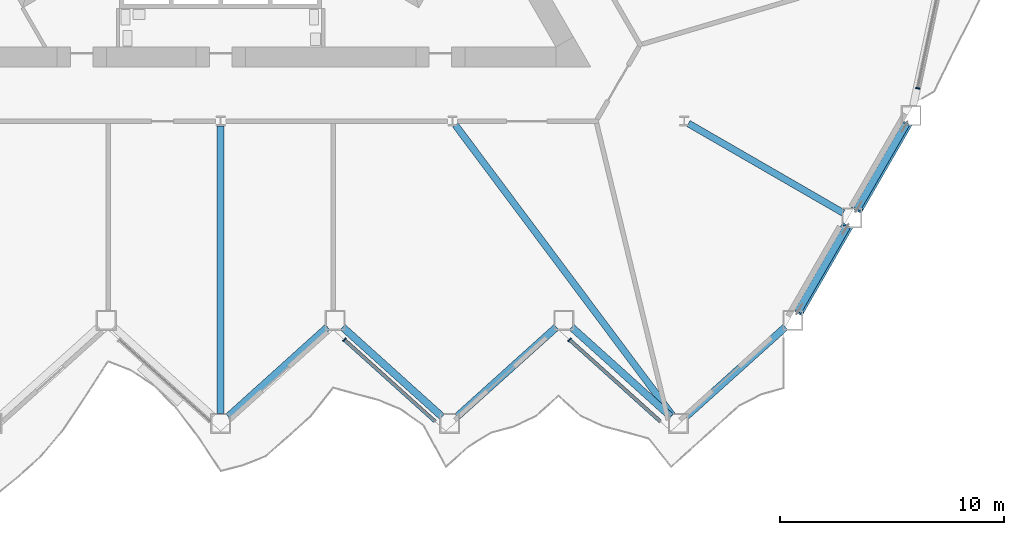
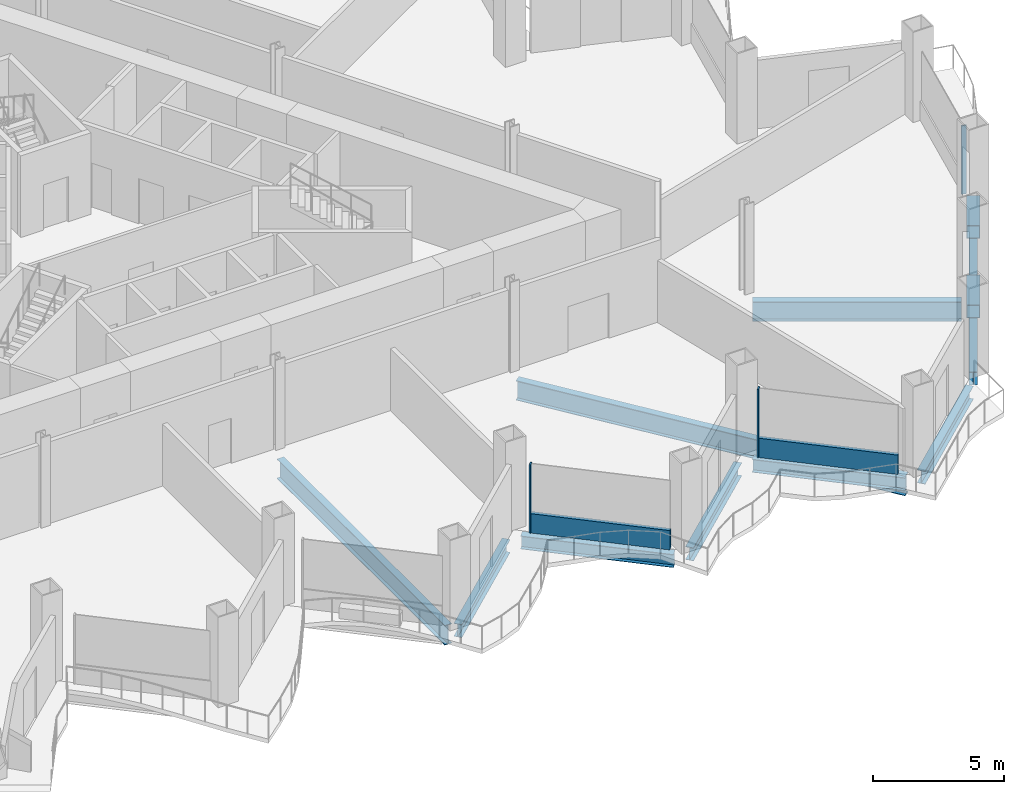
# One storey, part 5 of 21: 10 beams, 7 members, 3 elements without a shape of their own.
"""IFC4 building model written with IfcOpenShell, lengths in metres."""

from ifc_helpers import new_model, si_unit, direction, frame, origin, origin_2d, place, context, subcontext, project, spatial, rectangle, hollow_rectangle, i_section, extrude, material, layer, layer_set, material_profile, profile_set, type_object, element, aggregate, save


model = new_model("IFC4")

# Units and contexts
model_context = context("Model", 3, precision=1e-05, world=origin(), true_north=direction((0.0, 1.0)))
body_context = subcontext(model_context, "Body", "Model", "MODEL_VIEW")
ifc_project = project(units=[si_unit("LENGTHUNIT", "METRE"), si_unit("AREAUNIT", "SQUARE_METRE"), si_unit("VOLUMEUNIT", "CUBIC_METRE"), si_unit("PLANEANGLEUNIT", "RADIAN"), si_unit("MASSUNIT", "GRAM", prefix="KILO")], contexts=[model_context])

# Site, building, storey
site_placement = place(None, origin())
site = spatial("IfcSite", under=ifc_project, at=site_placement, CompositionType="ELEMENT")
building_placement = place(site_placement, origin())
building = spatial("IfcBuilding", under=site, at=building_placement, Name="Cormorant Prow Tower", CompositionType="ELEMENT")
storey_placement = place(building_placement, frame((0.0, 0.0, 116.39990234375)))
storey = spatial("IfcBuildingStorey", under=building, at=storey_placement, Name="L24", CompositionType="ELEMENT", Elevation=116.39990234375)

# Members
ifc_material_1 = material(Name="Structural steel ASTM A500 Gr C", Category="steel")
ifc_material_profile_1 = material_profile(ifc_material_1, hollow_rectangle(XDim=0.508056640625, YDim=0.508056640625, WallThickness=0.014892578125, at=origin_2d()), Name="HSS20x20x5/8")
ifc_profile_set_1 = profile_set([ifc_material_profile_1], Name="Structural steel ASTM A500 Gr C")
member_type_1 = type_object("IfcMemberType", Name="Chamfer brace HSS20x20x5/8", PredefinedType="BRACE", material=ifc_profile_set_1)
for number, where, z_axis, x_axis, name in (
    (1, (27.900634765625, -16.648681640625, 0.776611328125), (-0.467784671838, -0.810243526908, 0.35310469821), (0.866029868417, -0.499992266949, 0.0), "Chamfer brace BR1 at ESE00 L24"),
    (2, (30.535400390625, -12.0849609375, 0.776611328125), (-0.467784671838, -0.810243526908, 0.35310469821), (0.866029868417, -0.499992266949, 0.0), "Chamfer brace BR1 at ESE01 L24"),
):
    element("IfcMember", number, at=place(storey_placement, frame(where, z_axis=z_axis, x_axis=x_axis)), inside=storey, type_object=member_type_1, Name=name, PredefinedType="BRACE", context=body_context, shape_type="SweptSolid", body=[
        extrude(hollow_rectangle(XDim=0.508056640625, YDim=0.508056640625, WallThickness=0.014892578125, at=origin_2d()), origin(), (0.0, 0.0, 1.0), 4.632568359375),
    ])

# Curtain wall, member
ifc_material_2 = material(Name="Aluminium 6063-T6", Category="aluminium")
ifc_layer = layer(ifc_material_2, 0.199951171875)
ifc_layer_set = layer_set([ifc_layer], Name="Aluminium 6063-T6")
curtain_wall_type = type_object("IfcCurtainWallType", Name="Office unitised curtain wall 200", PredefinedType="NOTDEFINED", material=ifc_layer_set)
curtain_wall_1_placement = place(storey_placement, origin())
curtain_wall_1 = element("IfcCurtainWall", 3, at=curtain_wall_1_placement, inside=storey, type_object=curtain_wall_type, Name="Office curtain wall S06", PredefinedType="NOTDEFINED")
ifc_material_3 = material(Name="Aluminium 6063-T6", Category="aluminium")
ifc_material_profile_2 = material_profile(ifc_material_3, rectangle(XDim=0.199951171875, YDim=0.06005859375, at=origin_2d()), Name="Office mullion 60x200")
ifc_profile_set_2 = profile_set([ifc_material_profile_2], Name="Aluminium 6063-T6")
member_type_2 = type_object("IfcMemberType", Name="Office mullion 60x200", PredefinedType="MULLION", material=ifc_profile_set_2)
member_1_placement = place(storey_placement, frame((5.512939453125, -21.671142578125, 0.0), z_axis=(0.0, 0.0, 1.0), x_axis=(0.669130597526, 0.74314483343, 0.0)))
member_1 = element("IfcMember", 4, at=member_1_placement, type_object=member_type_2, Name="Office mullion S06", PredefinedType="MULLION", context=body_context, shape_type="SweptSolid", body=[
    extrude(rectangle(XDim=0.199951171875, YDim=0.06005859375, at=origin_2d()), origin(), (0.0, 0.0, 1.0), 3.18896484375),
])

curtain_wall_2_placement = place(storey_placement, origin())
curtain_wall_2 = element("IfcCurtainWall", 5, at=curtain_wall_2_placement, inside=storey, type_object=curtain_wall_type, Name="Office curtain wall S08", PredefinedType="NOTDEFINED")
member_2_placement = place(storey_placement, frame((15.549072265625, -21.671142578125, 0.0), z_axis=(0.0, 0.0, 1.0), x_axis=(0.669130597526, 0.74314483343, 0.0)))
member_2 = element("IfcMember", 6, at=member_2_placement, type_object=member_type_2, Name="Office mullion S08", PredefinedType="MULLION", context=body_context, shape_type="SweptSolid", body=[
    extrude(rectangle(XDim=0.199951171875, YDim=0.06005859375, at=origin_2d()), origin(), (0.0, 0.0, 1.0), 3.18896484375),
])

curtain_wall_3_placement = place(storey_placement, origin())
curtain_wall_3 = element("IfcCurtainWall", 7, at=curtain_wall_3_placement, inside=storey, type_object=curtain_wall_type, Name="Office curtain wall ENE00", PredefinedType="NOTDEFINED")
member_3_placement = place(storey_placement, frame((31.0654296875, -10.464599609375, 0.0), z_axis=(0.0, 0.0, 1.0), x_axis=(-0.978147610002, 0.207911647216, 0.0)))
member_3 = element("IfcMember", 8, at=member_3_placement, type_object=member_type_2, Name="Office mullion ENE00", PredefinedType="MULLION", context=body_context, shape_type="SweptSolid", body=[
    extrude(rectangle(XDim=0.199951171875, YDim=0.06005859375, at=origin_2d()), origin(), (0.0, 0.0, 1.0), 3.18896484375),
])
aggregate(curtain_wall_3, [member_3])

# Member
ifc_material_4 = material(Name="Terracotta", Category="masonry")
ifc_material_profile_3 = material_profile(ifc_material_4, rectangle(XDim=0.159912109375, YDim=0.89990234375, at=origin_2d()), Name="Office terracotta spandrel rail 160x900")
ifc_profile_set_3 = profile_set([ifc_material_profile_3], Name="Terracotta")
member_type_3 = type_object("IfcMemberType", Name="Office terracotta spandrel rail 160x900", PredefinedType="USERDEFINED", material=ifc_profile_set_3)
member_4_placement = place(storey_placement, frame((5.53515625, -21.691162109375, 0.4501953125), z_axis=(0.743159757815, -0.669114021946, 0.0), x_axis=(0.669114021946, 0.743159757815, 0.0)))
member_4 = element("IfcMember", 9, at=member_4_placement, type_object=member_type_3, Name="Office spandrel rail S06", ObjectType="TRANSOM", PredefinedType="USERDEFINED", context=body_context, shape_type="SweptSolid", body=[
    extrude(rectangle(XDim=0.159912109375, YDim=0.89990234375, at=origin_2d()), origin(), (0.0, 0.0, 1.0), 5.42041015625),
])

aggregate(curtain_wall_1, [member_1, member_4])

member_5_placement = place(storey_placement, frame((15.5712890625, -21.691162109375, 0.4501953125), z_axis=(0.743159757815, -0.669114021946, 0.0), x_axis=(0.669114021946, 0.743159757815, 0.0)))
member_5 = element("IfcMember", 10, at=member_5_placement, type_object=member_type_3, Name="Office spandrel rail S08", ObjectType="TRANSOM", PredefinedType="USERDEFINED", context=body_context, shape_type="SweptSolid", body=[
    extrude(rectangle(XDim=0.159912109375, YDim=0.89990234375, at=origin_2d()), origin(), (0.0, 0.0, 1.0), 5.42041015625),
])

aggregate(curtain_wall_2, [member_2, member_5])

# Beams
ifc_material_5 = material(Name="Structural steel ASTM A992 Gr 50", Category="steel")
ifc_material_profile_4 = material_profile(ifc_material_5, i_section(OverallWidth=0.3046875, OverallDepth=0.914794921875, WebThickness=0.0166015625, FlangeThickness=0.02587890625, at=origin_2d()), Name="W36x160")
ifc_profile_set_4 = profile_set([ifc_material_profile_4], Name="Structural steel ASTM A992 Gr 50")
beam_type_1 = type_object("IfcBeamType", Name="Radial floor beam W36x160", PredefinedType="BEAM", material=ifc_profile_set_4)
beam_1_placement = place(storey_placement, frame((0.0, -12.143798828125, -0.857177734375), z_axis=(0.0, -1.0, 0.0), x_axis=(1.0, 0.0, 0.0)))
element("IfcBeam", 11, at=beam_1_placement, inside=storey, type_object=beam_type_1, Name="Radial floor beam FB1 7 L24", PredefinedType="BEAM", context=body_context, shape_type="SweptSolid", body=[
    extrude(i_section(OverallWidth=0.3046875, OverallDepth=0.914794921875, WebThickness=0.0166015625, FlangeThickness=0.02587890625, at=origin_2d()), origin(), (0.0, 0.0, 1.0), 12.805419921875),
])
beam_2_placement = place(storey_placement, frame((10.458740234375, -12.100341796875, -0.857177734375), z_axis=(0.598722444929, -0.800956574315, 0.0), x_axis=(0.800956574315, 0.598722444929, 0.0)))
element("IfcBeam", 12, at=beam_2_placement, inside=storey, type_object=beam_type_1, Name="Radial floor beam FB1 8 L24", PredefinedType="BEAM", context=body_context, shape_type="SweptSolid", body=[
    extrude(i_section(OverallWidth=0.3046875, OverallDepth=0.914794921875, WebThickness=0.0166015625, FlangeThickness=0.02587890625, at=origin_2d()), origin(), (0.0, 0.0, 1.0), 16.15380859375),
])
beam_3_placement = place(storey_placement, frame((20.84521484375, -12.034912109375, -0.857177734375), z_axis=(0.866018715534, -0.50001158421, 0.0), x_axis=(0.50001158421, 0.866018715534, 0.0)))
element("IfcBeam", 13, at=beam_3_placement, inside=storey, type_object=beam_type_1, Name="Radial floor beam FB1 9 L24", PredefinedType="BEAM", context=body_context, shape_type="SweptSolid", body=[
    extrude(i_section(OverallWidth=0.3046875, OverallDepth=0.914794921875, WebThickness=0.0166015625, FlangeThickness=0.02587890625, at=origin_2d()), origin(), (0.0, 0.0, 1.0), 7.967041015625),
])
ifc_material_6 = material(Name="Structural steel ASTM A992 Gr 50", Category="steel")
ifc_material_profile_5 = material_profile(ifc_material_6, i_section(OverallWidth=0.32373046875, OverallDepth=0.611083984375, WebThickness=0.0126953125, FlangeThickness=0.01904296875, at=origin_2d()), Name="W24x104")
ifc_profile_set_5 = profile_set([ifc_material_profile_5], Name="Structural steel ASTM A992 Gr 50")
beam_type_2 = type_object("IfcBeamType", Name="Spandrel beam W24x104", PredefinedType="SPANDREL", material=ifc_profile_set_5)
for number, where, z_axis, x_axis, name in (
    (14, (0.33447265625, -25.09814453125, -0.70556640625), (0.743131253571, 0.66914567918, 0.0), (-0.66914567918, 0.743131253571, 0.0), "Spandrel beam SB1 S05-S06 L24"),
    (15, (5.434326171875, -21.108154296875, -0.70556640625), (0.743131253571, -0.66914567918, 0.0), (0.66914567918, 0.743131253571, 0.0), "Spandrel beam SB1 S06-S07 L24"),
    (16, (10.5341796875, -25.09814453125, -0.70556640625), (0.743131253571, 0.66914567918, 0.0), (-0.66914567918, 0.743131253571, 0.0), "Spandrel beam SB1 S07-S08 L24"),
    (17, (15.63427734375, -21.108154296875, -0.70556640625), (0.743131253571, -0.66914567918, 0.0), (0.66914567918, 0.743131253571, 0.0), "Spandrel beam SB1 S08-S09 L24"),
    (18, (20.734130859375, -25.09814453125, -0.70556640625), (0.743131253571, 0.66914567918, 0.0), (-0.66914567918, 0.743131253571, 0.0), "Spandrel beam SB1 S09-ESE00 L24"),
):
    element("IfcBeam", number, at=place(storey_placement, frame(where, z_axis=z_axis, x_axis=x_axis)), inside=storey, type_object=beam_type_2, Name=name, PredefinedType="SPANDREL", context=body_context, shape_type="SweptSolid", body=[
        extrude(i_section(OverallWidth=0.32373046875, OverallDepth=0.611083984375, WebThickness=0.0126953125, FlangeThickness=0.01904296875, at=origin_2d()), origin(), (0.0, 0.0, 1.0), 5.962890625),
    ])
for number, where, z_axis, x_axis, name in (
    (19, (25.724609375, -20.41748046875, -0.70556640625), (0.500002967982, 0.866023690213, 0.0), (-0.866023690213, 0.500002967982, 0.0), "Spandrel beam SB1 ESE00-ESE01 L24"),
    (20, (28.359619140625, -15.853759765625, -0.70556640625), (0.500002967982, 0.866023690213, 0.0), (-0.866023690213, 0.500002967982, 0.0), "Spandrel beam SB1 ESE01-ENE00 L24"),
):
    element("IfcBeam", number, at=place(storey_placement, frame(where, z_axis=z_axis, x_axis=x_axis)), inside=storey, type_object=beam_type_2, Name=name, PredefinedType="SPANDREL", context=body_context, shape_type="SweptSolid", body=[
        extrude(i_section(OverallWidth=0.32373046875, OverallDepth=0.611083984375, WebThickness=0.0126953125, FlangeThickness=0.01904296875, at=origin_2d()), origin(), (0.0, 0.0, 1.0), 4.36962890625),
    ])

save(model, "model.ifc")
